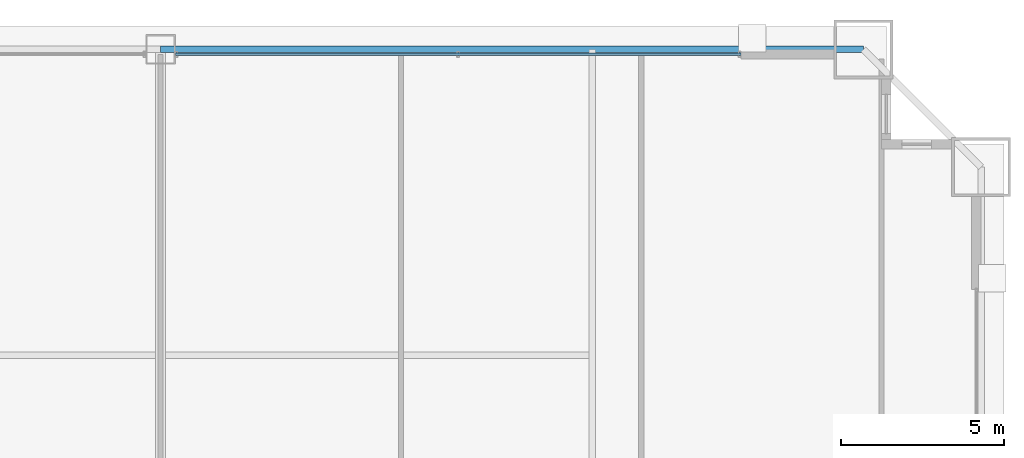
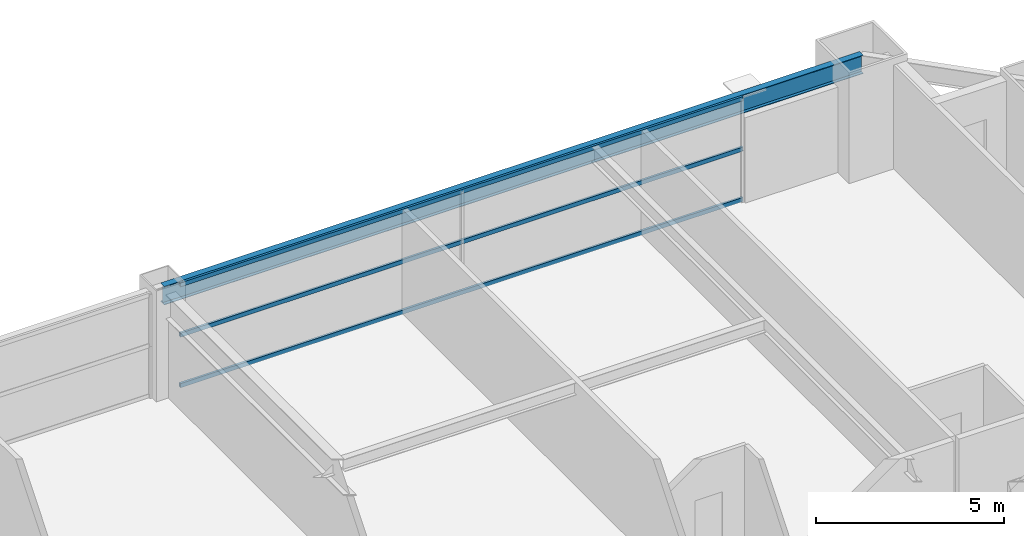
# One storey, part 37 of 45: 3 members, 1 beam, 1 element without a shape of its own.
"""IFC4 building model written with IfcOpenShell, lengths in metres."""

from ifc_helpers import new_model, si_unit, direction, frame, origin, origin_2d, place, context, subcontext, project, spatial, hollow_rectangle, i_section, extrude, source, transform, mapped, material, layer, layer_set, material_profile, profile_set, type_object, element, aggregate, save


model = new_model("IFC4")

# Units and contexts
model_context = context("Model", 3, precision=1e-05, world=origin(), true_north=direction((0.0, 1.0)))
body_context = subcontext(model_context, "Body", "Model", "MODEL_VIEW")
ifc_project = project(units=[si_unit("LENGTHUNIT", "METRE"), si_unit("AREAUNIT", "SQUARE_METRE"), si_unit("VOLUMEUNIT", "CUBIC_METRE"), si_unit("PLANEANGLEUNIT", "RADIAN"), si_unit("MASSUNIT", "GRAM", prefix="KILO"), si_unit("THERMODYNAMICTEMPERATUREUNIT", "KELVIN"), si_unit("POWERUNIT", "WATT")], contexts=[model_context])

# Site, building, storey
site_placement = place(None, origin())
site = spatial("IfcSite", under=ifc_project, at=site_placement, CompositionType="ELEMENT")
building_placement = place(site_placement, origin())
building = spatial("IfcBuilding", under=site, at=building_placement, Name="Yuzanri Waterfront Tower", CompositionType="ELEMENT")
storey_placement = place(building_placement, frame((0.0, 0.0, 34.199951171875)))
storey = spatial("IfcBuildingStorey", under=building, at=storey_placement, Name="L08", CompositionType="ELEMENT", Elevation=34.199951171875)

# Beam
ifc_material_1 = material(Name="Steel Q355B", Category="steel")
ifc_material_profile_1 = material_profile(ifc_material_1, i_section(OverallWidth=0.199951171875, OverallDepth=0.60009765625, WebThickness=0.010986328125, FlangeThickness=0.01708984375, at=origin_2d()), Name="HN 600x200x11x17")
ifc_profile_set_1 = profile_set([ifc_material_profile_1], Name="Steel Q355B")
beam_type = type_object("IfcBeamType", Name="Perimeter Spandrel Q355B HN 600x200", PredefinedType="SPANDREL", material=ifc_profile_set_1)
shared_shape_1 = source(origin(), body_context, "Body", "SweptSolid", [
    extrude(i_section(OverallWidth=0.199951171875, OverallDepth=0.60009765625, WebThickness=0.010986328125, FlangeThickness=0.01708984375, at=origin_2d()), origin(), (0.0, 0.0, 1.0), 21.5),
])
beam_placement = place(storey_placement, frame((58.5, 50.89990234375, 3.080078125), z_axis=(-1.0, 0.0, 0.0), x_axis=(0.0, -1.0, 0.0)))
element("IfcBeam", 1, at=beam_placement, inside=storey, type_object=beam_type, Name="L08 Perimeter Spandrel N3-N2", PredefinedType="SPANDREL", context=body_context, shape_type="MappedRepresentation", body=[
    mapped(shared_shape_1, transform((0.0, 0.0, 0.0), scale=1.0)),
])

# Curtain wall, members
ifc_material_2 = material(Name="Anodized Architectural Bronze", Category="metal")
ifc_layer = layer(ifc_material_2, 0.159912109375)
ifc_layer_set = layer_set([ifc_layer], Name="Anodized Architectural Bronze")
curtain_wall_type = type_object("IfcCurtainWallType", Name="Anodized Bronze Hotel Lower-Tier Recessed Unitized Curtain Wall 8100", PredefinedType="NOTDEFINED", material=ifc_layer_set)
curtain_wall_placement = place(storey_placement, origin())
curtain_wall = element("IfcCurtainWall", 2, at=curtain_wall_placement, inside=storey, type_object=curtain_wall_type, Name="L08 Curtain Wall CW-L08-NR", PredefinedType="NOTDEFINED")
ifc_material_3 = material(Name="Anodized Architectural Bronze", Category="metal")
ifc_material_profile_2 = material_profile(ifc_material_3, hollow_rectangle(XDim=0.070068359375, YDim=0.135009765625, WallThickness=0.00341796875, at=origin_2d()), Name="CWT 70x135")
ifc_profile_set_2 = profile_set([ifc_material_profile_2], Name="Anodized Architectural Bronze")
member_type = type_object("IfcMemberType", Name="Anodized Bronze Standard Curtain-Wall Transom 70x135", PredefinedType="USERDEFINED", material=ifc_profile_set_2)
shared_shape_2 = source(origin(), body_context, "Body", "SweptSolid", [
    extrude(hollow_rectangle(XDim=0.070068359375, YDim=0.135009765625, WallThickness=0.00341796875, at=origin_2d()), origin(), (0.0, 0.0, 1.0), 17.300048828125),
])
member_1_placement = place(storey_placement, frame((37.449951171875, 50.75, 0.050048828125), z_axis=(1.0, 0.0, 0.0), x_axis=(0.0, 1.0, 0.0)))
member_1 = element("IfcMember", 3, at=member_1_placement, type_object=member_type, Name="CW-L08-NR Transom 1", ObjectType="TRANSOM", PredefinedType="USERDEFINED", context=body_context, shape_type="MappedRepresentation", body=[
    mapped(shared_shape_2, transform((0.0, 0.0, 0.0), scale=1.0)),
])
member_2_placement = place(storey_placement, frame((37.449951171875, 50.75, 1.68994140625), z_axis=(1.0, 0.0, 0.0), x_axis=(0.0, 1.0, 0.0)))
member_2 = element("IfcMember", 4, at=member_2_placement, type_object=member_type, Name="CW-L08-NR Transom 2", ObjectType="TRANSOM", PredefinedType="USERDEFINED", context=body_context, shape_type="MappedRepresentation", body=[
    mapped(shared_shape_2, transform((0.0, 0.0, 0.0), scale=1.0)),
])
member_3_placement = place(storey_placement, frame((37.449951171875, 50.75, 3.330078125), z_axis=(1.0, 0.0, 0.0), x_axis=(0.0, 1.0, 0.0)))
member_3 = element("IfcMember", 5, at=member_3_placement, type_object=member_type, Name="CW-L08-NR Transom 3", ObjectType="TRANSOM", PredefinedType="USERDEFINED", context=body_context, shape_type="MappedRepresentation", body=[
    mapped(shared_shape_2, transform((0.0, 0.0, 0.0), scale=1.0)),
])
aggregate(curtain_wall, [member_1, member_2, member_3])

save(model, "model.ifc")
